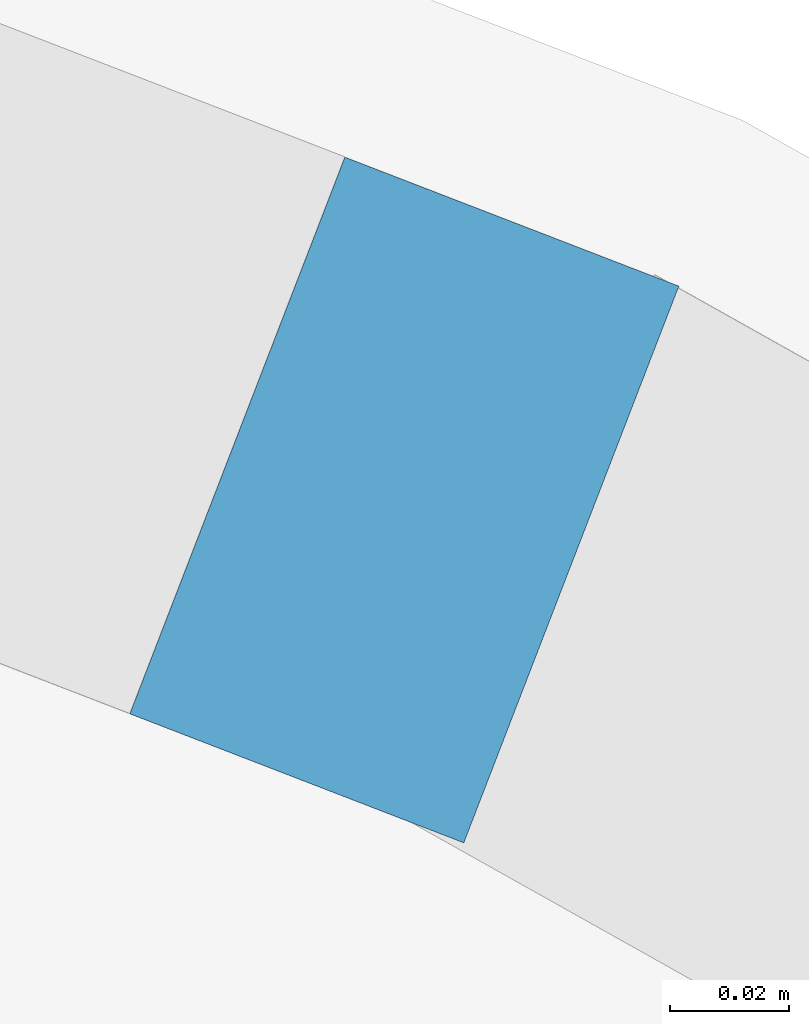
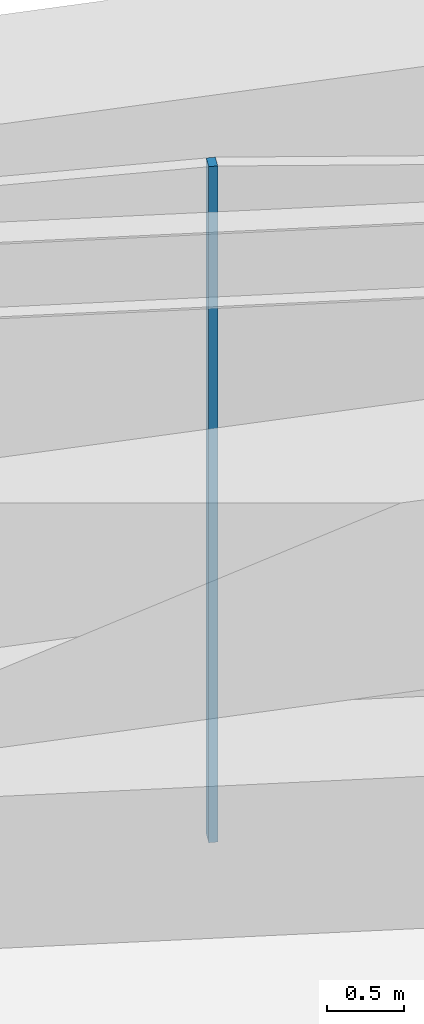
# One storey, part 46 of 65: 1 member, 1 element without a shape of its own.
"""IFC4 building model written with IfcOpenShell, lengths in metres."""

import ifcopenshell
import ifcopenshell.guid

model = None  # the IFC model being written
_history = None  # IfcOwnerHistory: only IFC2X3 demands one
_inside = {}  # id of a spatial element -> (the spatial element, [elements in it])
_under = {}  # id of a project, library or spatial element -> (it, [spatial elements below it])
_declared = {}  # id of a project -> (the project, [libraries it declares])
_typed = {}  # id of a type object -> (the type object, [elements of that type])
_made_of = {}  # id of a material, layer set ... -> (it, [elements and type objects made of it])


def new_model(schema):
    """Start an empty IFC model of exactly this schema.

    Asked for "IFC4X3", IfcOpenShell would pick the latest addendum, in which some entities
    have other attributes; the version numbers below select the first issue.
    IFC2X3 requires an IfcOwnerHistory on every rooted entity: one is made here for all.
    """
    global model, _history
    if schema == "IFC4X3":
        model = ifcopenshell.file(schema_version=(4, 3, 0, 0))
    else:
        model = ifcopenshell.file(schema=schema)
    _inside.clear()
    _under.clear()
    _declared.clear()
    _typed.clear()
    _made_of.clear()
    _history = None
    if model.schema == "IFC2X3":
        org = make("IfcOrganization", Name="unknown")
        user = make(
            "IfcPersonAndOrganization",
            ThePerson=make("IfcPerson", FamilyName="unknown"),
            TheOrganization=org,
        )
        app = make(
            "IfcApplication",
            ApplicationDeveloper=org,
            Version="unknown",
            ApplicationFullName="unknown",
            ApplicationIdentifier="unknown",
        )
        _history = make(
            "IfcOwnerHistory",
            OwningUser=user,
            OwningApplication=app,
            ChangeAction="ADDED",
            CreationDate=0,
        )
    return model


def make(cls, **values):
    """One entity of the class cls with the attributes given. An attribute that is None is left unset."""
    return model.create_entity(
        cls, **{name: value for name, value in values.items() if value is not None}
    )


def rooted(cls, **values):
    """An entity with a GlobalId (a new one), such as an element, a storey or a relation."""
    return make(cls, GlobalId=ifcopenshell.guid.new(), OwnerHistory=_history, **values)


def si_unit(unit_type, name, prefix=None):
    """IfcSIUnit, for example si_unit("LENGTHUNIT", "METRE", prefix="MILLI")."""
    return make("IfcSIUnit", UnitType=unit_type, Prefix=prefix, Name=name)


def assignment(units):
    """IfcUnitAssignment: the units of a project."""
    return None if units is None else make("IfcUnitAssignment", Units=units)


def point(xyz):
    """IfcCartesianPoint."""
    return None if xyz is None else make("IfcCartesianPoint", Coordinates=xyz)


def direction(xyz):
    """IfcDirection."""
    return None if xyz is None else make("IfcDirection", DirectionRatios=xyz)


def frame(location, z_axis=None, x_axis=None):
    """IfcAxis2Placement3D, a coordinate frame: its origin and axes. An axis left out is left unset."""
    return make(
        "IfcAxis2Placement3D",
        Location=point(location),
        Axis=direction(z_axis),
        RefDirection=direction(x_axis),
    )


def frame_2d(location, x_axis=None):
    """IfcAxis2Placement2D, a coordinate frame in the plane: its origin and x axis."""
    return make(
        "IfcAxis2Placement2D", Location=point(location), RefDirection=direction(x_axis)
    )


def origin():
    """The frame at (0, 0, 0) with its axes left unset."""
    return frame((0.0, 0.0, 0.0))


def origin_2d():
    """The frame at (0, 0) in the plane with its x axis left unset."""
    return frame_2d((0.0, 0.0))


def place(relative_to, where):
    """IfcLocalPlacement: puts the frame where relative to a parent placement (None: the world)."""
    return make(
        "IfcLocalPlacement", PlacementRelTo=relative_to, RelativePlacement=where
    )


def context(
    kind, dimensions, precision=None, world=None, true_north=None, identifier=None
):
    """IfcGeometricRepresentationContext, for example the 3D "Model" context."""
    return make(
        "IfcGeometricRepresentationContext",
        ContextIdentifier=identifier,
        ContextType=kind,
        CoordinateSpaceDimension=dimensions,
        Precision=precision,
        WorldCoordinateSystem=world,
        TrueNorth=true_north,
    )


def subcontext(parent, identifier, kind, view, scale=None):
    """IfcGeometricRepresentationSubContext, for example "Body" below "Model"."""
    return make(
        "IfcGeometricRepresentationSubContext",
        ContextIdentifier=identifier,
        ContextType=kind,
        ParentContext=parent,
        TargetScale=scale,
        TargetView=view,
    )


def project(units=None, contexts=None):
    """IfcProject with its units and contexts."""
    return rooted(
        "IfcProject",
        Name="project",
        RepresentationContexts=contexts,
        UnitsInContext=assignment(units),
    )


def spatial(cls, under=None, at=None, **own):
    """A site, building, storey or space (cls), placed at a placement, below another one or the project."""
    s = rooted(cls, ObjectPlacement=at, **own)
    if under is not None:
        _under.setdefault(under.id(), (under, []))[1].append(s)
    return s


def profile(cls, at=None, kind="AREA", **sizes):
    """A parametric profile (cls). Its sizes go by their IFC names, for example OverallWidth=200.0."""
    return make(cls, ProfileType=kind, Position=at, **sizes)


def rectangle(**sizes):
    """IfcRectangleProfileDef."""
    return profile("IfcRectangleProfileDef", **sizes)


def extrude(swept, where, along, depth):
    """IfcExtrudedAreaSolid: the profile swept, set in the frame where, extruded along a direction by depth."""
    return make(
        "IfcExtrudedAreaSolid",
        SweptArea=swept,
        Position=where,
        ExtrudedDirection=direction(along),
        Depth=depth,
    )


def shape(context_of_items, identifier, shape_type, items):
    """IfcShapeRepresentation: the items that make up one representation, for example the "Body"."""
    return make(
        "IfcShapeRepresentation",
        ContextOfItems=context_of_items,
        RepresentationIdentifier=identifier,
        RepresentationType=shape_type,
        Items=items,
    )


def material(Name=None, Category=None):
    """IfcMaterial."""
    return make("IfcMaterial", Name=Name, Category=Category)


def layer(
    of_material, thickness, ventilated=None, Name=None, Category=None, Priority=None
):
    """IfcMaterialLayer: one layer of a wall or slab, of a material (None: an air gap)."""
    return make(
        "IfcMaterialLayer",
        Material=of_material,
        LayerThickness=thickness,
        IsVentilated=ventilated,
        Name=Name,
        Category=Category,
        Priority=Priority,
    )


def layer_set(layers, Name=None):
    """IfcMaterialLayerSet."""
    return make("IfcMaterialLayerSet", MaterialLayers=layers, LayerSetName=Name)


def material_profile(
    of_material, cross_section, Name=None, Category=None, Priority=None
):
    """IfcMaterialProfile: a cross section and its material."""
    return make(
        "IfcMaterialProfile",
        Name=Name,
        Material=of_material,
        Profile=cross_section,
        Priority=Priority,
        Category=Category,
    )


def profile_set(profiles, Name=None, composite=None):
    """IfcMaterialProfileSet."""
    return make(
        "IfcMaterialProfileSet",
        Name=Name,
        MaterialProfiles=profiles,
        CompositeProfile=composite,
    )


def made_of(thing, what):
    """Note that an element or type object is made of a material, layer set ...; save() writes the relation."""
    if what is not None:
        _made_of.setdefault(what.id(), (what, []))[1].append(thing)
    return thing


def type_object(cls, material=None, **own):
    """A type object (cls), such as IfcWallType, which elements share."""
    return made_of(rooted(cls, **own), material)


def element(
    cls,
    number,
    at=None,
    inside=None,
    cuts=None,
    type_object=None,
    material=None,
    context=None,
    identifier="Body",
    shape_type=None,
    held_by="IfcProductDefinitionShape",
    body=None,
    shapes=None,
    **own,
):
    """One element of the class cls, such as IfcWall. Its Tag is "e" and its number.

    at: its placement. inside: the storey or other place that contains it. cuts: it is an
    opening in that element (IfcRelVoidsElement). A single representation is given by context,
    identifier, shape_type and body (its items); several are given by shapes. held_by: the class
    of the entity that holds the representations. save() writes the other relations.
    """
    e = rooted(cls, Tag="e%d" % number, ObjectPlacement=at, **own)
    if body is not None:
        shapes = [shape(context, identifier, shape_type, body)]
    if shapes is not None:
        e.Representation = make(held_by, Representations=shapes)
    if inside is not None:
        _inside.setdefault(inside.id(), (inside, []))[1].append(e)
    if cuts is not None:
        rooted(
            "IfcRelVoidsElement", RelatingBuildingElement=cuts, RelatedOpeningElement=e
        )
    if type_object is not None:
        _typed.setdefault(type_object.id(), (type_object, []))[1].append(e)
    return made_of(e, material)


def aggregate(whole, parts):
    """IfcRelAggregates: a whole, such as a stair, and the parts it consists of."""
    return rooted("IfcRelAggregates", RelatingObject=whole, RelatedObjects=parts)


def save(model, path):
    """Write the relations noted so far, then the file.

    IfcRelAggregates (storeys below a building ...), IfcRelContainedInSpatialStructure (elements
    in a storey), IfcRelDefinesByType, IfcRelAssociatesMaterial and IfcRelDeclares: one each for
    every whole, place, type object, material and project.
    """
    for whole, parts in _under.values():
        aggregate(whole, parts)
    for where, things in _inside.values():
        rooted(
            "IfcRelContainedInSpatialStructure",
            RelatedElements=things,
            RelatingStructure=where,
        )
    for kind, things in _typed.values():
        rooted("IfcRelDefinesByType", RelatedObjects=things, RelatingType=kind)
    for what, things in _made_of.values():
        rooted("IfcRelAssociatesMaterial", RelatedObjects=things, RelatingMaterial=what)
    for by, libraries in _declared.values():
        rooted("IfcRelDeclares", RelatingContext=by, RelatedDefinitions=libraries)
    model.write(path)


model = new_model("IFC4")

# Units and contexts
model_context = context("Model", 3, precision=1e-05, world=origin(), true_north=direction((0.0, 1.0)))
body_context = subcontext(model_context, "Body", "Model", "MODEL_VIEW")
ifc_project = project(units=[si_unit("LENGTHUNIT", "METRE"), si_unit("AREAUNIT", "SQUARE_METRE"), si_unit("VOLUMEUNIT", "CUBIC_METRE"), si_unit("PLANEANGLEUNIT", "RADIAN"), si_unit("MASSUNIT", "GRAM", prefix="KILO")], contexts=[model_context])

# Site, building, storey
site_placement = place(None, origin())
site = spatial("IfcSite", under=ifc_project, at=site_placement, CompositionType="ELEMENT")
building_placement = place(site_placement, origin())
building = spatial("IfcBuilding", under=site, at=building_placement, Name="Nagisa Residences", CompositionType="ELEMENT")
storey_placement = place(building_placement, frame((0.0, 0.0, 114.0)))
storey = spatial("IfcBuildingStorey", under=building, at=storey_placement, Name="L28", CompositionType="ELEMENT", Elevation=114.0)

# Curtain wall, member
ifc_material_1 = material(Name="Aluminium curtain wall system", Category="aluminium")
ifc_layer = layer(ifc_material_1, 0.159912109375)
ifc_layer_set = layer_set([ifc_layer], Name="CW5 CURTAIN WALL")
curtain_wall_type = type_object("IfcCurtainWallType", Name="CW5 CURTAIN WALL", PredefinedType="NOTDEFINED", material=ifc_layer_set)
curtain_wall_placement = place(storey_placement, origin())
curtain_wall = element("IfcCurtainWall", 1, at=curtain_wall_placement, inside=storey, type_object=curtain_wall_type, Name="cw:CW5:L28:09", PredefinedType="NOTDEFINED")
ifc_material_2 = material(Name="Aluminium", Category="aluminium")
ifc_material_profile = material_profile(ifc_material_2, rectangle(XDim=0.10009765625, YDim=0.06005859375, at=origin_2d()), Name="CW5 MULLION 100x60")
ifc_profile_set = profile_set([ifc_material_profile], Name="Aluminium")
member_type = type_object("IfcMemberType", Name="CW5 MULLION 100x60", PredefinedType="MULLION", material=ifc_profile_set)
member_placement = place(storey_placement, frame((8.74169921875, 32.169921875, 0.0), z_axis=(0.0, 0.0, 1.0), x_axis=(-0.360327770268, -0.932825759707, 0.0)))
member = element("IfcMember", 2, at=member_placement, type_object=member_type, Name="CW5 mullion", PredefinedType="MULLION", context=body_context, shape_type="SweptSolid", body=[
    extrude(rectangle(XDim=0.10009765625, YDim=0.06005859375, at=origin_2d()), origin(), (0.0, 0.0, 1.0), 5.340087890625),
])
aggregate(curtain_wall, [member])

save(model, "model.ifc")
